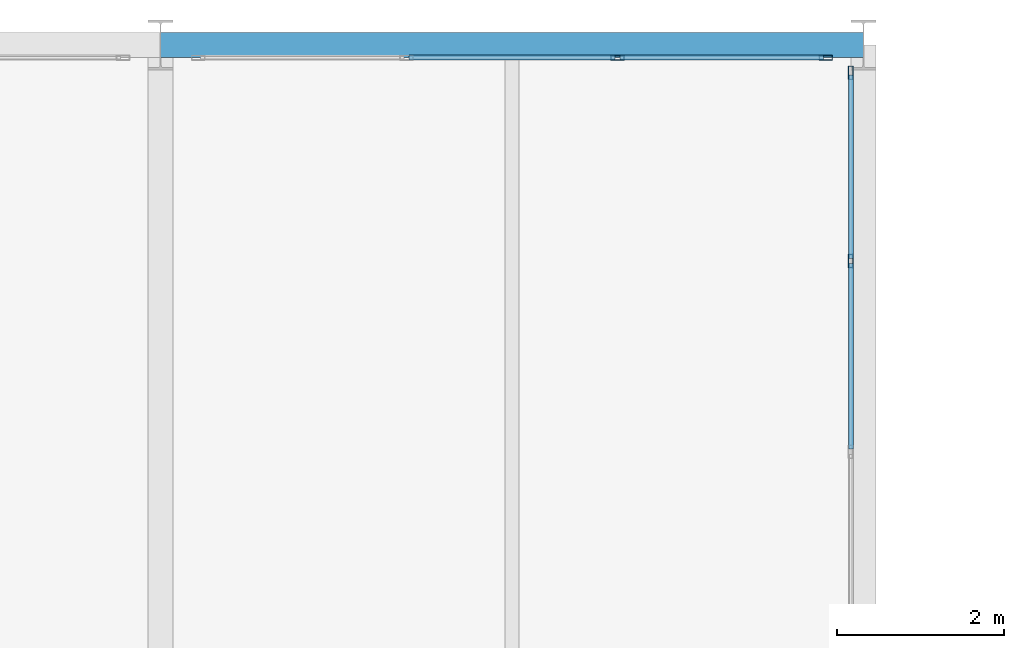
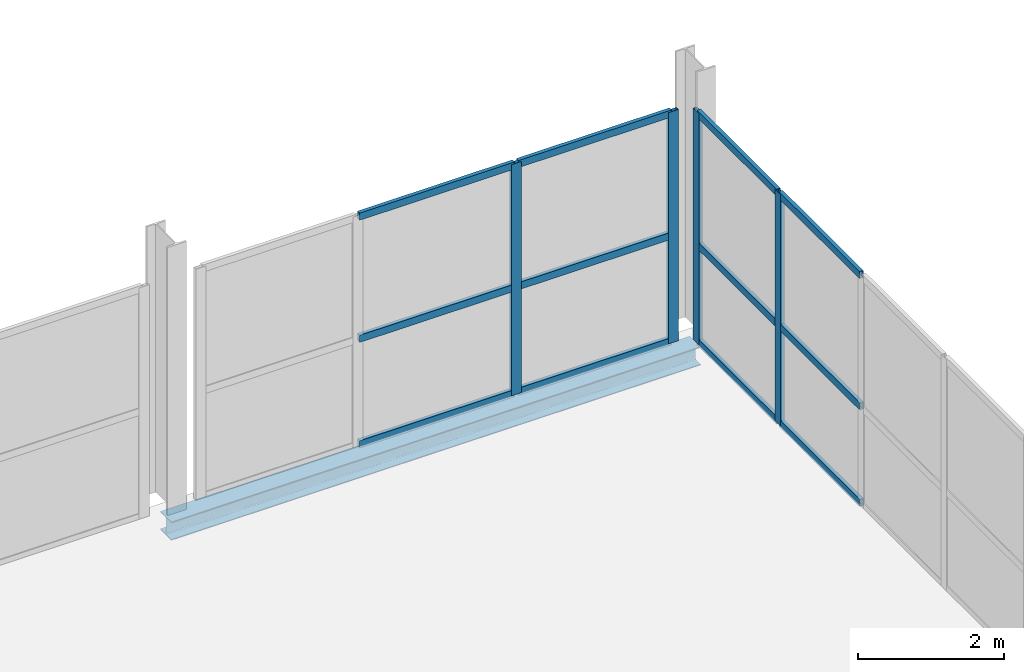
# One storey, part 61 of 109: 16 members, 1 beam, 2 elements without a shape of their own.
"""IFC4 building model written with IfcOpenShell, lengths in metres."""

from ifc_helpers import new_model, si_unit, direction, frame, origin, origin_2d, place, context, subcontext, project, spatial, hollow_rectangle, i_section, extrude, material, material_profile, profile_set, type_object, element, aggregate, save


model = new_model("IFC4")

# Units and contexts
model_context = context("Model", 3, precision=1e-05, world=origin(), true_north=direction((0.0, 1.0)))
body_context = subcontext(model_context, "Body", "Model", "MODEL_VIEW")
ifc_project = project(units=[si_unit("LENGTHUNIT", "METRE"), si_unit("AREAUNIT", "SQUARE_METRE"), si_unit("VOLUMEUNIT", "CUBIC_METRE"), si_unit("PLANEANGLEUNIT", "RADIAN"), si_unit("MASSUNIT", "GRAM", prefix="KILO")], contexts=[model_context])

# Site, building, storey
site_placement = place(None, origin())
site = spatial("IfcSite", under=ifc_project, at=site_placement, CompositionType="ELEMENT")
building_placement = place(site_placement, origin())
building = spatial("IfcBuilding", under=site, at=building_placement, Name="Veltarok Museum of Natural Sciences", CompositionType="ELEMENT")
storey_placement = place(building_placement, frame((0.0, 0.0, 17.39990234375)))
storey = spatial("IfcBuildingStorey", under=building, at=storey_placement, Name="L03", CompositionType="ELEMENT", Elevation=17.39990234375)

# Curtain wall, members
ifc_material_1 = material(Name="Low-iron triple insulated glass", Category="glass")
curtain_wall_type_1 = type_object("IfcCurtainWallType", Name="Curtain Wall System CW-V2N-L03-11-756x388 (V2 North Hall L03 11-12 756x388cm)", PredefinedType="NOTDEFINED", material=ifc_material_1)
curtain_wall_1_placement = place(storey_placement, origin())
curtain_wall_1 = element("IfcCurtainWall", 1, at=curtain_wall_1_placement, inside=storey, type_object=curtain_wall_type_1, Name="Curtain Wall CW-V2N-L03-11-756x388 CW-0060", PredefinedType="NOTDEFINED")
ifc_material_2 = material(Name="Thermally broken anodised aluminium", Category="aluminium")
ifc_material_profile_1 = material_profile(ifc_material_2, hollow_rectangle(XDim=0.06005859375, YDim=0.1201171875, WallThickness=0.0048828125, at=origin_2d()), Name="CW TRANSOM 60x120x5")
ifc_profile_set_1 = profile_set([ifc_material_profile_1], Name="Thermally broken anodised aluminium")
member_type_1 = type_object("IfcMemberType", Name="Curtain Wall Horizontal Transom 60x120x5", PredefinedType="USERDEFINED", material=ifc_profile_set_1)
member_1_placement = place(storey_placement, frame((98.320068359375, 71.85009765625, 0.030029296875), z_axis=(-1.0, 0.0, 0.0), x_axis=(0.0, -1.0, 0.0)))
member_1 = element("IfcMember", 2, at=member_1_placement, type_object=member_type_1, Name="CW-V2N-L03-11-756x388 transom 1.1", ObjectType="TRANSOM", PredefinedType="USERDEFINED", context=body_context, shape_type="SweptSolid", body=[
    extrude(hollow_rectangle(XDim=0.06005859375, YDim=0.1201171875, WallThickness=0.0048828125, at=origin_2d()), origin(), (0.0, 0.0, 1.0), 2.43017578125),
])
member_2_placement = place(storey_placement, frame((98.320068359375, 71.85009765625, 1.800048828125), z_axis=(-1.0, 0.0, 0.0), x_axis=(0.0, -1.0, 0.0)))
member_2 = element("IfcMember", 3, at=member_2_placement, type_object=member_type_1, Name="CW-V2N-L03-11-756x388 transom 1.2", ObjectType="TRANSOM", PredefinedType="USERDEFINED", context=body_context, shape_type="SweptSolid", body=[
    extrude(hollow_rectangle(XDim=0.06005859375, YDim=0.1201171875, WallThickness=0.0048828125, at=origin_2d()), origin(), (0.0, 0.0, 1.0), 2.43017578125),
])
member_3_placement = place(storey_placement, frame((98.320068359375, 71.85009765625, 3.85009765625), z_axis=(-1.0, 0.0, 0.0), x_axis=(0.0, -1.0, 0.0)))
member_3 = element("IfcMember", 4, at=member_3_placement, type_object=member_type_1, Name="CW-V2N-L03-11-756x388 transom 1.3", ObjectType="TRANSOM", PredefinedType="USERDEFINED", context=body_context, shape_type="SweptSolid", body=[
    extrude(hollow_rectangle(XDim=0.06005859375, YDim=0.1201171875, WallThickness=0.0048828125, at=origin_2d()), origin(), (0.0, 0.0, 1.0), 2.43017578125),
])
member_4_placement = place(storey_placement, frame((95.830078125, 71.85009765625, 0.030029296875), z_axis=(-1.0, 0.0, 0.0), x_axis=(0.0, -1.0, 0.0)))
member_4 = element("IfcMember", 5, at=member_4_placement, type_object=member_type_1, Name="CW-V2N-L03-11-756x388 transom 2.1", ObjectType="TRANSOM", PredefinedType="USERDEFINED", context=body_context, shape_type="SweptSolid", body=[
    extrude(hollow_rectangle(XDim=0.06005859375, YDim=0.1201171875, WallThickness=0.0048828125, at=origin_2d()), origin(), (0.0, 0.0, 1.0), 2.4599609375),
])
member_5_placement = place(storey_placement, frame((95.830078125, 71.85009765625, 1.800048828125), z_axis=(-1.0, 0.0, 0.0), x_axis=(0.0, -1.0, 0.0)))
member_5 = element("IfcMember", 6, at=member_5_placement, type_object=member_type_1, Name="CW-V2N-L03-11-756x388 transom 2.2", ObjectType="TRANSOM", PredefinedType="USERDEFINED", context=body_context, shape_type="SweptSolid", body=[
    extrude(hollow_rectangle(XDim=0.06005859375, YDim=0.1201171875, WallThickness=0.0048828125, at=origin_2d()), origin(), (0.0, 0.0, 1.0), 2.4599609375),
])
member_6_placement = place(storey_placement, frame((95.830078125, 71.85009765625, 3.85009765625), z_axis=(-1.0, 0.0, 0.0), x_axis=(0.0, -1.0, 0.0)))
member_6 = element("IfcMember", 7, at=member_6_placement, type_object=member_type_1, Name="CW-V2N-L03-11-756x388 transom 2.3", ObjectType="TRANSOM", PredefinedType="USERDEFINED", context=body_context, shape_type="SweptSolid", body=[
    extrude(hollow_rectangle(XDim=0.06005859375, YDim=0.1201171875, WallThickness=0.0048828125, at=origin_2d()), origin(), (0.0, 0.0, 1.0), 2.4599609375),
])

curtain_wall_type_2 = type_object("IfcCurtainWallType", Name="Curtain Wall System CW-V2E-L03-0-1140x388 (CW-V2E L03 1140x388cm)", PredefinedType="NOTDEFINED", material=ifc_material_1)
curtain_wall_2_placement = place(storey_placement, origin())
curtain_wall_2 = element("IfcCurtainWall", 8, at=curtain_wall_2_placement, inside=storey, type_object=curtain_wall_type_2, Name="Curtain Wall CW-V2E-L03-0-1140x388 CW-0136", PredefinedType="NOTDEFINED")
member_7_placement = place(storey_placement, frame((98.64990234375, 67.169921875, 0.028076171875), z_axis=(0.0, 1.0, 0.0), x_axis=(-1.0, 0.0, 0.0)))
member_7 = element("IfcMember", 9, at=member_7_placement, type_object=member_type_1, Name="CW-V2E-L03-0-1140x388 transom 4.1", ObjectType="TRANSOM", PredefinedType="USERDEFINED", context=body_context, shape_type="SweptSolid", body=[
    extrude(hollow_rectangle(XDim=0.06005859375, YDim=0.1201171875, WallThickness=0.0048828125, at=origin_2d()), origin(), (0.0, 0.0, 1.0), 2.219970703125),
])
member_8_placement = place(storey_placement, frame((98.64990234375, 67.169921875, 1.648193359375), z_axis=(0.0, 1.0, 0.0), x_axis=(-1.0, 0.0, 0.0)))
member_8 = element("IfcMember", 10, at=member_8_placement, type_object=member_type_1, Name="CW-V2E-L03-0-1140x388 transom 4.2", ObjectType="TRANSOM", PredefinedType="USERDEFINED", context=body_context, shape_type="SweptSolid", body=[
    extrude(hollow_rectangle(XDim=0.06005859375, YDim=0.1201171875, WallThickness=0.0048828125, at=origin_2d()), origin(), (0.0, 0.0, 1.0), 2.219970703125),
])
member_9_placement = place(storey_placement, frame((98.64990234375, 67.169921875, 3.85009765625), z_axis=(0.0, 1.0, 0.0), x_axis=(-1.0, 0.0, 0.0)))
member_9 = element("IfcMember", 11, at=member_9_placement, type_object=member_type_1, Name="CW-V2E-L03-0-1140x388 transom 4.3", ObjectType="TRANSOM", PredefinedType="USERDEFINED", context=body_context, shape_type="SweptSolid", body=[
    extrude(hollow_rectangle(XDim=0.06005859375, YDim=0.1201171875, WallThickness=0.0048828125, at=origin_2d()), origin(), (0.0, 0.0, 1.0), 2.219970703125),
])
member_10_placement = place(storey_placement, frame((98.64990234375, 69.449951171875, 0.028076171875), z_axis=(0.0, 1.0, 0.0), x_axis=(-1.0, 0.0, 0.0)))
member_10 = element("IfcMember", 12, at=member_10_placement, type_object=member_type_1, Name="CW-V2E-L03-0-1140x388 transom 5.1", ObjectType="TRANSOM", PredefinedType="USERDEFINED", context=body_context, shape_type="SweptSolid", body=[
    extrude(hollow_rectangle(XDim=0.06005859375, YDim=0.1201171875, WallThickness=0.0048828125, at=origin_2d()), origin(), (0.0, 0.0, 1.0), 2.18994140625),
])
member_11_placement = place(storey_placement, frame((98.64990234375, 69.449951171875, 1.648193359375), z_axis=(0.0, 1.0, 0.0), x_axis=(-1.0, 0.0, 0.0)))
member_11 = element("IfcMember", 13, at=member_11_placement, type_object=member_type_1, Name="CW-V2E-L03-0-1140x388 transom 5.2", ObjectType="TRANSOM", PredefinedType="USERDEFINED", context=body_context, shape_type="SweptSolid", body=[
    extrude(hollow_rectangle(XDim=0.06005859375, YDim=0.1201171875, WallThickness=0.0048828125, at=origin_2d()), origin(), (0.0, 0.0, 1.0), 2.18994140625),
])
member_12_placement = place(storey_placement, frame((98.64990234375, 69.449951171875, 3.85009765625), z_axis=(0.0, 1.0, 0.0), x_axis=(-1.0, 0.0, 0.0)))
member_12 = element("IfcMember", 14, at=member_12_placement, type_object=member_type_1, Name="CW-V2E-L03-0-1140x388 transom 5.3", ObjectType="TRANSOM", PredefinedType="USERDEFINED", context=body_context, shape_type="SweptSolid", body=[
    extrude(hollow_rectangle(XDim=0.06005859375, YDim=0.1201171875, WallThickness=0.0048828125, at=origin_2d()), origin(), (0.0, 0.0, 1.0), 2.18994140625),
])

# Member
ifc_material_profile_2 = material_profile(ifc_material_2, hollow_rectangle(XDim=0.06005859375, YDim=0.159912109375, WallThickness=0.0048828125, at=origin_2d()), Name="CW MULLION 60x160x5")
ifc_profile_set_2 = profile_set([ifc_material_profile_2], Name="Thermally broken anodised aluminium")
member_type_2 = type_object("IfcMemberType", Name="Curtain Wall Vertical Mullion 60x160x5", PredefinedType="MULLION", material=ifc_profile_set_2)
member_13_placement = place(storey_placement, frame((98.35009765625, 71.85009765625, 0.0), z_axis=(0.0, 0.0, 1.0), x_axis=(0.0, -1.0, 0.0)))
member_13 = element("IfcMember", 15, at=member_13_placement, type_object=member_type_2, Name="CW-V2N-L03-11-756x388 mullion 1", PredefinedType="MULLION", context=body_context, shape_type="SweptSolid", body=[
    extrude(hollow_rectangle(XDim=0.06005859375, YDim=0.159912109375, WallThickness=0.0048828125, at=origin_2d()), origin(), (0.0, 0.0, 1.0), 3.880126953125),
])

member_14_placement = place(storey_placement, frame((95.860107421875, 71.85009765625, 0.0), z_axis=(0.0, 0.0, 1.0), x_axis=(0.0, -1.0, 0.0)))
member_14 = element("IfcMember", 16, at=member_14_placement, type_object=member_type_2, Name="CW-V2N-L03-11-756x388 mullion 2", PredefinedType="MULLION", context=body_context, shape_type="SweptSolid", body=[
    extrude(hollow_rectangle(XDim=0.06005859375, YDim=0.159912109375, WallThickness=0.0048828125, at=origin_2d()), origin(), (0.0, 0.0, 1.0), 3.880126953125),
])

aggregate(curtain_wall_1, [member_13, member_14, member_1, member_2, member_3, member_4, member_5, member_6])

member_15_placement = place(storey_placement, frame((98.64990234375, 69.419921875, -0.001953125), z_axis=(0.0, 0.0, 1.0), x_axis=(-1.0, 0.0, 0.0)))
member_15 = element("IfcMember", 17, at=member_15_placement, type_object=member_type_2, Name="CW-V2E-L03-0-1140x388 mullion 5", PredefinedType="MULLION", context=body_context, shape_type="SweptSolid", body=[
    extrude(hollow_rectangle(XDim=0.06005859375, YDim=0.159912109375, WallThickness=0.0048828125, at=origin_2d()), origin(), (0.0, 0.0, 1.0), 3.882080078125),
])

member_16_placement = place(storey_placement, frame((98.64990234375, 71.669921875, -0.001953125), z_axis=(0.0, 0.0, 1.0), x_axis=(-1.0, 0.0, 0.0)))
member_16 = element("IfcMember", 18, at=member_16_placement, type_object=member_type_2, Name="CW-V2E-L03-0-1140x388 mullion 6", PredefinedType="MULLION", context=body_context, shape_type="SweptSolid", body=[
    extrude(hollow_rectangle(XDim=0.06005859375, YDim=0.159912109375, WallThickness=0.0048828125, at=origin_2d()), origin(), (0.0, 0.0, 1.0), 3.882080078125),
])

aggregate(curtain_wall_2, [member_15, member_16, member_7, member_8, member_9, member_10, member_11, member_12])

# Beam
ifc_material_3 = material(Name="Steel S355J2", Category="steel")
ifc_material_profile_3 = material_profile(ifc_material_3, i_section(OverallWidth=0.300048828125, OverallDepth=0.31005859375, WebThickness=0.009033203125, FlangeThickness=0.015380859375, FilletRadius=0.027099609375, at=origin_2d()), Name="HEA 320")
ifc_profile_set_3 = profile_set([ifc_material_profile_3], Name="Steel S355J2")
beam_type = type_object("IfcBeamType", Name="Perimeter Edge Spandrel HEA 320", PredefinedType="SPANDREL", material=ifc_profile_set_3)
beam_placement = place(storey_placement, frame((90.39990234375, 72.0, -0.40478515625), z_axis=(1.0, 0.0, 0.0), x_axis=(0.0, 1.0, 0.0)))
element("IfcBeam", 19, at=beam_placement, inside=storey, type_object=beam_type, Name="Beam BM-SP04 L03 11-12/H", PredefinedType="SPANDREL", context=body_context, shape_type="SweptSolid", body=[
    extrude(i_section(OverallWidth=0.300048828125, OverallDepth=0.31005859375, WebThickness=0.009033203125, FlangeThickness=0.015380859375, FilletRadius=0.027099609375, at=origin_2d()), origin(), (0.0, 0.0, 1.0), 8.400146484375),
])

save(model, "model.ifc")
